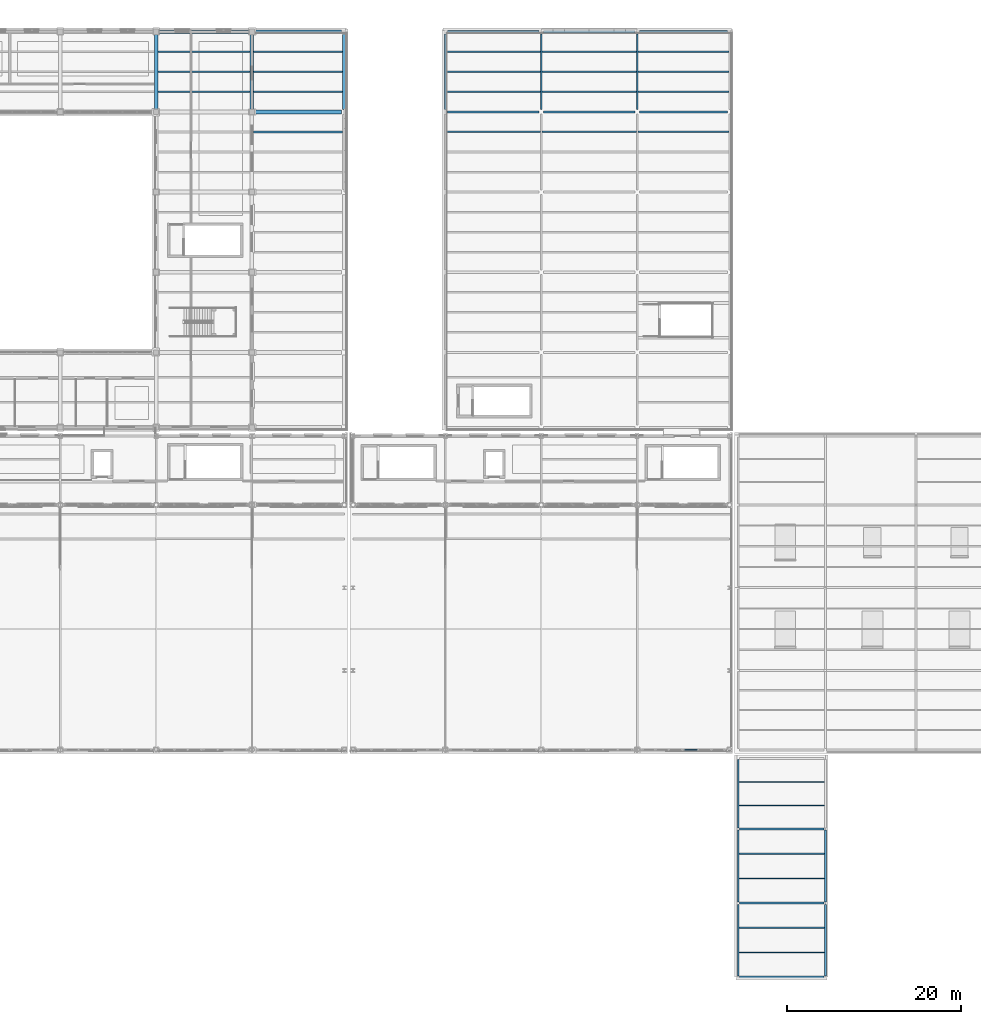
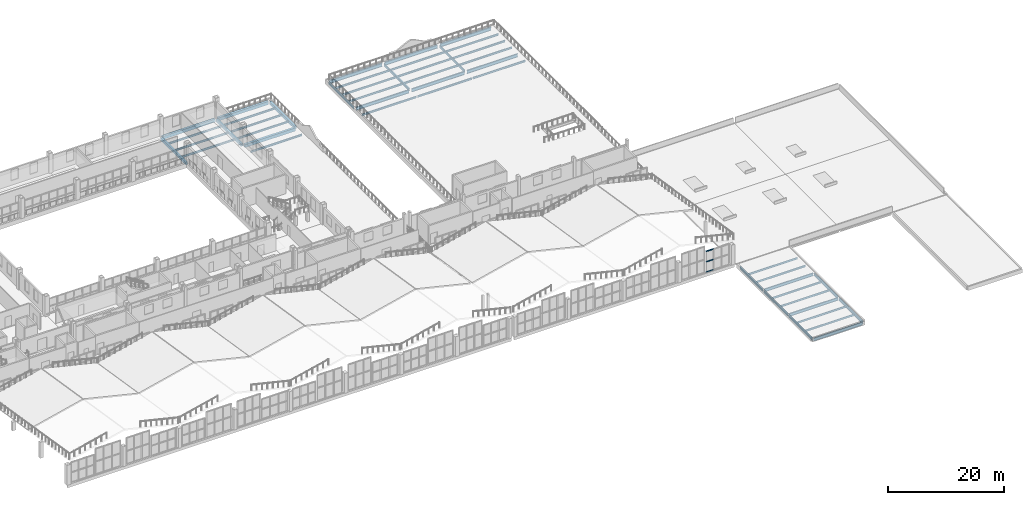
# One storey, part 72 of 120: 48 beams, 3 members, 1 element without a shape of its own.
"""IFC4 building model written with IfcOpenShell, lengths in metres."""

import ifcopenshell
import ifcopenshell.guid

model = None  # the IFC model being written
_history = None  # IfcOwnerHistory: only IFC2X3 demands one
_inside = {}  # id of a spatial element -> (the spatial element, [elements in it])
_under = {}  # id of a project, library or spatial element -> (it, [spatial elements below it])
_declared = {}  # id of a project -> (the project, [libraries it declares])
_typed = {}  # id of a type object -> (the type object, [elements of that type])
_made_of = {}  # id of a material, layer set ... -> (it, [elements and type objects made of it])


def new_model(schema):
    """Start an empty IFC model of exactly this schema.

    Asked for "IFC4X3", IfcOpenShell would pick the latest addendum, in which some entities
    have other attributes; the version numbers below select the first issue.
    IFC2X3 requires an IfcOwnerHistory on every rooted entity: one is made here for all.
    """
    global model, _history
    if schema == "IFC4X3":
        model = ifcopenshell.file(schema_version=(4, 3, 0, 0))
    else:
        model = ifcopenshell.file(schema=schema)
    _inside.clear()
    _under.clear()
    _declared.clear()
    _typed.clear()
    _made_of.clear()
    _history = None
    if model.schema == "IFC2X3":
        org = make("IfcOrganization", Name="unknown")
        user = make(
            "IfcPersonAndOrganization",
            ThePerson=make("IfcPerson", FamilyName="unknown"),
            TheOrganization=org,
        )
        app = make(
            "IfcApplication",
            ApplicationDeveloper=org,
            Version="unknown",
            ApplicationFullName="unknown",
            ApplicationIdentifier="unknown",
        )
        _history = make(
            "IfcOwnerHistory",
            OwningUser=user,
            OwningApplication=app,
            ChangeAction="ADDED",
            CreationDate=0,
        )
    return model


def make(cls, **values):
    """One entity of the class cls with the attributes given. An attribute that is None is left unset."""
    return model.create_entity(
        cls, **{name: value for name, value in values.items() if value is not None}
    )


def rooted(cls, **values):
    """An entity with a GlobalId (a new one), such as an element, a storey or a relation."""
    return make(cls, GlobalId=ifcopenshell.guid.new(), OwnerHistory=_history, **values)


def si_unit(unit_type, name, prefix=None):
    """IfcSIUnit, for example si_unit("LENGTHUNIT", "METRE", prefix="MILLI")."""
    return make("IfcSIUnit", UnitType=unit_type, Prefix=prefix, Name=name)


def assignment(units):
    """IfcUnitAssignment: the units of a project."""
    return None if units is None else make("IfcUnitAssignment", Units=units)


def point(xyz):
    """IfcCartesianPoint."""
    return None if xyz is None else make("IfcCartesianPoint", Coordinates=xyz)


def direction(xyz):
    """IfcDirection."""
    return None if xyz is None else make("IfcDirection", DirectionRatios=xyz)


def frame(location, z_axis=None, x_axis=None):
    """IfcAxis2Placement3D, a coordinate frame: its origin and axes. An axis left out is left unset."""
    return make(
        "IfcAxis2Placement3D",
        Location=point(location),
        Axis=direction(z_axis),
        RefDirection=direction(x_axis),
    )


def frame_2d(location, x_axis=None):
    """IfcAxis2Placement2D, a coordinate frame in the plane: its origin and x axis."""
    return make(
        "IfcAxis2Placement2D", Location=point(location), RefDirection=direction(x_axis)
    )


def origin():
    """The frame at (0, 0, 0) with its axes left unset."""
    return frame((0.0, 0.0, 0.0))


def origin_2d():
    """The frame at (0, 0) in the plane with its x axis left unset."""
    return frame_2d((0.0, 0.0))


def place(relative_to, where):
    """IfcLocalPlacement: puts the frame where relative to a parent placement (None: the world)."""
    return make(
        "IfcLocalPlacement", PlacementRelTo=relative_to, RelativePlacement=where
    )


def context(
    kind, dimensions, precision=None, world=None, true_north=None, identifier=None
):
    """IfcGeometricRepresentationContext, for example the 3D "Model" context."""
    return make(
        "IfcGeometricRepresentationContext",
        ContextIdentifier=identifier,
        ContextType=kind,
        CoordinateSpaceDimension=dimensions,
        Precision=precision,
        WorldCoordinateSystem=world,
        TrueNorth=true_north,
    )


def subcontext(parent, identifier, kind, view, scale=None):
    """IfcGeometricRepresentationSubContext, for example "Body" below "Model"."""
    return make(
        "IfcGeometricRepresentationSubContext",
        ContextIdentifier=identifier,
        ContextType=kind,
        ParentContext=parent,
        TargetScale=scale,
        TargetView=view,
    )


def project(units=None, contexts=None):
    """IfcProject with its units and contexts."""
    return rooted(
        "IfcProject",
        Name="project",
        RepresentationContexts=contexts,
        UnitsInContext=assignment(units),
    )


def spatial(cls, under=None, at=None, **own):
    """A site, building, storey or space (cls), placed at a placement, below another one or the project."""
    s = rooted(cls, ObjectPlacement=at, **own)
    if under is not None:
        _under.setdefault(under.id(), (under, []))[1].append(s)
    return s


def profile(cls, at=None, kind="AREA", **sizes):
    """A parametric profile (cls). Its sizes go by their IFC names, for example OverallWidth=200.0."""
    return make(cls, ProfileType=kind, Position=at, **sizes)


def rectangle(**sizes):
    """IfcRectangleProfileDef."""
    return profile("IfcRectangleProfileDef", **sizes)


def hollow_rectangle(**sizes):
    """IfcRectangleHollowProfileDef."""
    return profile("IfcRectangleHollowProfileDef", **sizes)


def i_section(**sizes):
    """IfcIShapeProfileDef."""
    return profile("IfcIShapeProfileDef", **sizes)


def extrude(swept, where, along, depth):
    """IfcExtrudedAreaSolid: the profile swept, set in the frame where, extruded along a direction by depth."""
    return make(
        "IfcExtrudedAreaSolid",
        SweptArea=swept,
        Position=where,
        ExtrudedDirection=direction(along),
        Depth=depth,
    )


def shape(context_of_items, identifier, shape_type, items):
    """IfcShapeRepresentation: the items that make up one representation, for example the "Body"."""
    return make(
        "IfcShapeRepresentation",
        ContextOfItems=context_of_items,
        RepresentationIdentifier=identifier,
        RepresentationType=shape_type,
        Items=items,
    )


def material(Name=None, Category=None):
    """IfcMaterial."""
    return make("IfcMaterial", Name=Name, Category=Category)


def material_profile(
    of_material, cross_section, Name=None, Category=None, Priority=None
):
    """IfcMaterialProfile: a cross section and its material."""
    return make(
        "IfcMaterialProfile",
        Name=Name,
        Material=of_material,
        Profile=cross_section,
        Priority=Priority,
        Category=Category,
    )


def profile_set(profiles, Name=None, composite=None):
    """IfcMaterialProfileSet."""
    return make(
        "IfcMaterialProfileSet",
        Name=Name,
        MaterialProfiles=profiles,
        CompositeProfile=composite,
    )


def made_of(thing, what):
    """Note that an element or type object is made of a material, layer set ...; save() writes the relation."""
    if what is not None:
        _made_of.setdefault(what.id(), (what, []))[1].append(thing)
    return thing


def type_object(cls, material=None, **own):
    """A type object (cls), such as IfcWallType, which elements share."""
    return made_of(rooted(cls, **own), material)


def element(
    cls,
    number,
    at=None,
    inside=None,
    cuts=None,
    type_object=None,
    material=None,
    context=None,
    identifier="Body",
    shape_type=None,
    held_by="IfcProductDefinitionShape",
    body=None,
    shapes=None,
    **own,
):
    """One element of the class cls, such as IfcWall. Its Tag is "e" and its number.

    at: its placement. inside: the storey or other place that contains it. cuts: it is an
    opening in that element (IfcRelVoidsElement). A single representation is given by context,
    identifier, shape_type and body (its items); several are given by shapes. held_by: the class
    of the entity that holds the representations. save() writes the other relations.
    """
    e = rooted(cls, Tag="e%d" % number, ObjectPlacement=at, **own)
    if body is not None:
        shapes = [shape(context, identifier, shape_type, body)]
    if shapes is not None:
        e.Representation = make(held_by, Representations=shapes)
    if inside is not None:
        _inside.setdefault(inside.id(), (inside, []))[1].append(e)
    if cuts is not None:
        rooted(
            "IfcRelVoidsElement", RelatingBuildingElement=cuts, RelatedOpeningElement=e
        )
    if type_object is not None:
        _typed.setdefault(type_object.id(), (type_object, []))[1].append(e)
    return made_of(e, material)


def aggregate(whole, parts):
    """IfcRelAggregates: a whole, such as a stair, and the parts it consists of."""
    return rooted("IfcRelAggregates", RelatingObject=whole, RelatedObjects=parts)


def save(model, path):
    """Write the relations noted so far, then the file.

    IfcRelAggregates (storeys below a building ...), IfcRelContainedInSpatialStructure (elements
    in a storey), IfcRelDefinesByType, IfcRelAssociatesMaterial and IfcRelDeclares: one each for
    every whole, place, type object, material and project.
    """
    for whole, parts in _under.values():
        aggregate(whole, parts)
    for where, things in _inside.values():
        rooted(
            "IfcRelContainedInSpatialStructure",
            RelatedElements=things,
            RelatingStructure=where,
        )
    for kind, things in _typed.values():
        rooted("IfcRelDefinesByType", RelatedObjects=things, RelatingType=kind)
    for what, things in _made_of.values():
        rooted("IfcRelAssociatesMaterial", RelatedObjects=things, RelatingMaterial=what)
    for by, libraries in _declared.values():
        rooted("IfcRelDeclares", RelatingContext=by, RelatedDefinitions=libraries)
    model.write(path)


model = new_model("IFC4")

# Units and contexts
model_context = context("Model", 3, precision=1e-05, world=origin(), true_north=direction((0.0, 1.0)))
body_context = subcontext(model_context, "Body", "Model", "MODEL_VIEW")
ifc_project = project(units=[si_unit("LENGTHUNIT", "METRE"), si_unit("AREAUNIT", "SQUARE_METRE"), si_unit("VOLUMEUNIT", "CUBIC_METRE"), si_unit("PLANEANGLEUNIT", "RADIAN"), si_unit("MASSUNIT", "GRAM", prefix="KILO")], contexts=[model_context])

# Site, building, storey
site_placement = place(None, origin())
site = spatial("IfcSite", under=ifc_project, at=site_placement, CompositionType="ELEMENT")
building_placement = place(site_placement, origin())
building = spatial("IfcBuilding", under=site, at=building_placement, Name="Caurita Quay Ferry Terminal", CompositionType="ELEMENT")
storey_placement = place(building_placement, frame((0.0, 0.0, 9.89990234375)))
storey = spatial("IfcBuildingStorey", under=building, at=storey_placement, Name="L02", CompositionType="ELEMENT", Elevation=9.89990234375)

# Beams
ifc_material_1 = material(Name="Structural steel ASTM A992 Gr. 50", Category="steel")
ifc_material_profile_1 = material_profile(ifc_material_1, i_section(OverallWidth=0.210693359375, OverallDepth=0.53857421875, WebThickness=0.01171875, FlangeThickness=0.018798828125, FilletRadius=0.013916015625, at=origin_2d()), Name="W21X73")
ifc_profile_set_1 = profile_set([ifc_material_profile_1], Name="Structural steel ASTM A992 Gr. 50")
beam_type_1 = type_object("IfcBeamType", Name="BM-GR-W21A", PredefinedType="BEAM", material=ifc_profile_set_1)
for number, where, z_axis, x_axis, name in (
    (1, (132.800048828125, 8.62939453125, -0.479248046875), (0.0, 1.0, 0.0), (-1.0, 0.0, 0.0), "L02 Beam BM-V3P-L02-Y-1328-86"),
    (2, (132.800048828125, 17.12939453125, -0.479248046875), (0.0, 1.0, 0.0), (-1.0, 0.0, 0.0), "L02 Beam BM-V3P-L02-Y-1328-171"),
):
    element("IfcBeam", number, at=place(storey_placement, frame(where, z_axis=z_axis, x_axis=x_axis)), inside=storey, type_object=beam_type_1, Name=name, PredefinedType="BEAM", context=body_context, shape_type="SweptSolid", body=[
        extrude(i_section(OverallWidth=0.210693359375, OverallDepth=0.53857421875, WebThickness=0.01171875, FlangeThickness=0.018798828125, FilletRadius=0.013916015625, at=origin_2d()), origin(), (0.0, 0.0, 1.0), 8.2412109375),
    ])
beam_1_placement = place(storey_placement, frame((132.800048828125, 25.62939453125, -0.479248046875), z_axis=(0.0, 1.0, 0.0), x_axis=(-1.0, 0.0, 0.0)))
element("IfcBeam", 3, at=beam_1_placement, inside=storey, type_object=beam_type_1, Name="L02 Beam BM-V3P-L02-Y-1328-256", PredefinedType="BEAM", context=body_context, shape_type="SweptSolid", body=[
    extrude(i_section(OverallWidth=0.210693359375, OverallDepth=0.53857421875, WebThickness=0.01171875, FlangeThickness=0.018798828125, FilletRadius=0.013916015625, at=origin_2d()), origin(), (0.0, 0.0, 1.0), 7.841064453125),
])
for number, where, z_axis, x_axis, name in (
    (4, (142.800048828125, 8.62939453125, -0.479248046875), (0.0, 1.0, 0.0), (-1.0, 0.0, 0.0), "L02 Beam BM-V3P-L02-Y-1428-86"),
    (5, (142.800048828125, 17.12939453125, -0.479248046875), (0.0, 1.0, 0.0), (-1.0, 0.0, 0.0), "L02 Beam BM-V3P-L02-Y-1428-171"),
):
    element("IfcBeam", number, at=place(storey_placement, frame(where, z_axis=z_axis, x_axis=x_axis)), inside=storey, type_object=beam_type_1, Name=name, PredefinedType="BEAM", context=body_context, shape_type="SweptSolid", body=[
        extrude(i_section(OverallWidth=0.210693359375, OverallDepth=0.53857421875, WebThickness=0.01171875, FlangeThickness=0.018798828125, FilletRadius=0.013916015625, at=origin_2d()), origin(), (0.0, 0.0, 1.0), 8.2412109375),
    ])
ifc_material_profile_2 = material_profile(ifc_material_1, i_section(OverallWidth=0.22802734375, OverallDepth=0.60205078125, WebThickness=0.010498046875, FlangeThickness=0.014892578125, at=origin_2d()), Name="W24X68")
ifc_profile_set_2 = profile_set([ifc_material_profile_2], Name="Structural steel ASTM A992 Gr. 50")
beam_type_2 = type_object("IfcBeamType", Name="BM-GR-W24C", PredefinedType="BEAM", material=ifc_profile_set_2)
for number, where, z_axis, x_axis, name in (
    (6, (132.929443359375, 8.5, -0.510986328125), (1.0, 0.0, 0.0), (0.0, 1.0, 0.0), "L02 Beam BM-V3P-L02-X-1329-85"),
    (7, (132.929443359375, 17.0, -0.510986328125), (1.0, 0.0, 0.0), (0.0, 1.0, 0.0), "L02 Beam BM-V3P-L02-X-1329-170"),
    (8, (132.929443359375, 25.5, -0.510986328125), (1.0, 0.0, 0.0), (0.0, 1.0, 0.0), "L02 Beam BM-V3P-L02-X-1329-255"),
):
    element("IfcBeam", number, at=place(storey_placement, frame(where, z_axis=z_axis, x_axis=x_axis)), inside=storey, type_object=beam_type_2, Name=name, PredefinedType="BEAM", context=body_context, shape_type="SweptSolid", body=[
        extrude(i_section(OverallWidth=0.22802734375, OverallDepth=0.60205078125, WebThickness=0.010498046875, FlangeThickness=0.014892578125, at=origin_2d()), origin(), (0.0, 0.0, 1.0), 9.740966796875),
    ])
ifc_material_profile_3 = material_profile(ifc_material_1, i_section(OverallWidth=0.25390625, OverallDepth=0.68310546875, WebThickness=0.012451171875, FlangeThickness=0.018798828125, at=origin_2d()), Name="W27X94")
ifc_profile_set_3 = profile_set([ifc_material_profile_3], Name="Structural steel ASTM A992 Gr. 50")
beam_type_3 = type_object("IfcBeamType", Name="BM-GR-W27B", PredefinedType="BEAM", material=ifc_profile_set_3)
for number, where, z_axis, x_axis, name in (
    (9, (99.455078125, 107.800048828125, -0.551513671875), (1.0, 0.0, 0.0), (0.0, 1.0, 0.0), "L02 Beam BM-V4W-L02-X-995-1078"),
    (10, (110.455078125, 107.800048828125, -0.551513671875), (1.0, 0.0, 0.0), (0.0, 1.0, 0.0), "L02 Beam BM-V4W-L02-X-1105-1078"),
):
    element("IfcBeam", number, at=place(storey_placement, frame(where, z_axis=z_axis, x_axis=x_axis)), inside=storey, type_object=beam_type_3, Name=name, PredefinedType="BEAM", context=body_context, shape_type="SweptSolid", body=[
        extrude(i_section(OverallWidth=0.25390625, OverallDepth=0.68310546875, WebThickness=0.012451171875, FlangeThickness=0.018798828125, at=origin_2d()), origin(), (0.0, 0.0, 1.0), 10.489990234375),
    ])
beam_2_placement = place(storey_placement, frame((121.455078125, 107.800048828125, -0.551513671875), z_axis=(1.0, 0.0, 0.0), x_axis=(0.0, 1.0, 0.0)))
element("IfcBeam", 11, at=beam_2_placement, inside=storey, type_object=beam_type_3, Name="L02 Beam BM-V4W-L02-X-1215-1078", PredefinedType="BEAM", context=body_context, shape_type="SweptSolid", body=[
    extrude(i_section(OverallWidth=0.25390625, OverallDepth=0.68310546875, WebThickness=0.012451171875, FlangeThickness=0.018798828125, at=origin_2d()), origin(), (0.0, 0.0, 1.0), 10.08984375),
])
for number, where, z_axis, x_axis, name in (
    (12, (99.455078125, 117.0, -0.551513671875), (1.0, 0.0, 0.0), (0.0, 1.0, 0.0), "L02 Beam BM-V4W-L02-X-995-1170"),
    (13, (110.455078125, 117.0, -0.551513671875), (1.0, 0.0, 0.0), (0.0, 1.0, 0.0), "L02 Beam BM-V4W-L02-X-1105-1170"),
):
    element("IfcBeam", number, at=place(storey_placement, frame(where, z_axis=z_axis, x_axis=x_axis)), inside=storey, type_object=beam_type_3, Name=name, PredefinedType="BEAM", context=body_context, shape_type="SweptSolid", body=[
        extrude(i_section(OverallWidth=0.25390625, OverallDepth=0.68310546875, WebThickness=0.012451171875, FlangeThickness=0.018798828125, at=origin_2d()), origin(), (0.0, 0.0, 1.0), 10.489990234375),
    ])
beam_3_placement = place(storey_placement, frame((121.455078125, 117.0, -0.551513671875), z_axis=(1.0, 0.0, 0.0), x_axis=(0.0, 1.0, 0.0)))
element("IfcBeam", 14, at=beam_3_placement, inside=storey, type_object=beam_type_3, Name="L02 Beam BM-V4W-L02-X-1215-1170", PredefinedType="BEAM", context=body_context, shape_type="SweptSolid", body=[
    extrude(i_section(OverallWidth=0.25390625, OverallDepth=0.68310546875, WebThickness=0.012451171875, FlangeThickness=0.018798828125, at=origin_2d()), origin(), (0.0, 0.0, 1.0), 10.08984375),
])
ifc_material_profile_4 = material_profile(ifc_material_1, i_section(OverallWidth=0.1787109375, OverallDepth=0.408935546875, WebThickness=0.0087890625, FlangeThickness=0.014404296875, FilletRadius=0.011474609375, at=origin_2d()), Name="W16X45")
ifc_profile_set_4 = profile_set([ifc_material_profile_4], Name="Structural steel ASTM A992 Gr. 50")
beam_type_4 = type_object("IfcBeamType", Name="BM-JS-W16A", PredefinedType="JOIST", material=ifc_profile_set_4)
for number, where, z_axis, x_axis, name in (
    (15, (66.199951171875, 110.10009765625, -0.42431640625), (1.0, 0.0, 0.0), (0.0, 1.0, 0.0), "L02 Beam JS-V5-L02-049"),
    (16, (66.199951171875, 112.39990234375, -0.42431640625), (1.0, 0.0, 0.0), (0.0, 1.0, 0.0), "L02 Beam JS-V5-L02-050"),
    (17, (66.199951171875, 114.699951171875, -0.42431640625), (1.0, 0.0, 0.0), (0.0, 1.0, 0.0), "L02 Beam JS-V5-L02-051"),
):
    element("IfcBeam", number, at=place(storey_placement, frame(where, z_axis=z_axis, x_axis=x_axis)), inside=storey, type_object=beam_type_4, Name=name, PredefinedType="JOIST", context=body_context, shape_type="SweptSolid", body=[
        extrude(i_section(OverallWidth=0.1787109375, OverallDepth=0.408935546875, WebThickness=0.0087890625, FlangeThickness=0.014404296875, FilletRadius=0.011474609375, at=origin_2d()), origin(), (0.0, 0.0, 1.0), 10.60009765625),
    ])
for number, where, z_axis, x_axis, name in (
    (18, (77.199951171875, 105.5, -0.414306640625), (1.0, 0.0, 0.0), (0.0, 1.0, 0.0), "L02 Beam JS-V5-L02-062"),
    (19, (77.199951171875, 110.10009765625, -0.414306640625), (1.0, 0.0, 0.0), (0.0, 1.0, 0.0), "L02 Beam JS-V5-L02-063"),
    (20, (77.199951171875, 112.39990234375, -0.414306640625), (1.0, 0.0, 0.0), (0.0, 1.0, 0.0), "L02 Beam JS-V5-L02-064"),
    (21, (77.199951171875, 114.699951171875, -0.414306640625), (1.0, 0.0, 0.0), (0.0, 1.0, 0.0), "L02 Beam JS-V5-L02-065"),
):
    element("IfcBeam", number, at=place(storey_placement, frame(where, z_axis=z_axis, x_axis=x_axis)), inside=storey, type_object=beam_type_4, Name=name, PredefinedType="JOIST", context=body_context, shape_type="SweptSolid", body=[
        extrude(i_section(OverallWidth=0.1787109375, OverallDepth=0.408935546875, WebThickness=0.0087890625, FlangeThickness=0.014404296875, FilletRadius=0.011474609375, at=origin_2d()), origin(), (0.0, 0.0, 1.0), 10.199951171875),
    ])
ifc_material_profile_5 = material_profile(ifc_material_1, i_section(OverallWidth=0.177734375, OverallDepth=0.40380859375, WebThickness=0.007568359375, FlangeThickness=0.010986328125, FilletRadius=0.011474609375, at=origin_2d()), Name="W16X36")
ifc_profile_set_5 = profile_set([ifc_material_profile_5], Name="Structural steel ASTM A992 Gr. 50")
beam_type_5 = type_object("IfcBeamType", Name="BM-JS-W16B", PredefinedType="JOIST", material=ifc_profile_set_5)
for number, where, z_axis, x_axis, name in (
    (22, (99.283203125, 105.5, -0.411865234375), (1.0, 0.0, 0.0), (0.0, 1.0, 0.0), "L02 Beam JS-V4W-L02-010"),
    (23, (99.283203125, 110.10009765625, -0.411865234375), (1.0, 0.0, 0.0), (0.0, 1.0, 0.0), "L02 Beam JS-V4W-L02-011"),
    (24, (99.283203125, 112.39990234375, -0.411865234375), (1.0, 0.0, 0.0), (0.0, 1.0, 0.0), "L02 Beam JS-V4W-L02-012"),
    (25, (99.283203125, 114.699951171875, -0.411865234375), (1.0, 0.0, 0.0), (0.0, 1.0, 0.0), "L02 Beam JS-V4W-L02-013"),
    (26, (110.283203125, 105.5, -0.411865234375), (1.0, 0.0, 0.0), (0.0, 1.0, 0.0), "L02 Beam JS-V4W-L02-023"),
    (27, (110.283203125, 110.10009765625, -0.411865234375), (1.0, 0.0, 0.0), (0.0, 1.0, 0.0), "L02 Beam JS-V4W-L02-024"),
    (28, (110.283203125, 112.39990234375, -0.411865234375), (1.0, 0.0, 0.0), (0.0, 1.0, 0.0), "L02 Beam JS-V4W-L02-025"),
    (29, (110.283203125, 114.699951171875, -0.411865234375), (1.0, 0.0, 0.0), (0.0, 1.0, 0.0), "L02 Beam JS-V4W-L02-026"),
):
    element("IfcBeam", number, at=place(storey_placement, frame(where, z_axis=z_axis, x_axis=x_axis)), inside=storey, type_object=beam_type_5, Name=name, PredefinedType="JOIST", context=body_context, shape_type="SweptSolid", body=[
        extrude(i_section(OverallWidth=0.177734375, OverallDepth=0.40380859375, WebThickness=0.007568359375, FlangeThickness=0.010986328125, FilletRadius=0.011474609375, at=origin_2d()), origin(), (0.0, 0.0, 1.0), 10.83349609375),
    ])
for number, where, z_axis, x_axis, name in (
    (30, (121.283203125, 105.5, -0.411865234375), (1.0, 0.0, 0.0), (0.0, 1.0, 0.0), "L02 Beam JS-V4W-L02-035"),
    (31, (121.283203125, 110.10009765625, -0.411865234375), (1.0, 0.0, 0.0), (0.0, 1.0, 0.0), "L02 Beam JS-V4W-L02-036"),
    (32, (121.283203125, 112.39990234375, -0.411865234375), (1.0, 0.0, 0.0), (0.0, 1.0, 0.0), "L02 Beam JS-V4W-L02-037"),
    (33, (121.283203125, 114.699951171875, -0.411865234375), (1.0, 0.0, 0.0), (0.0, 1.0, 0.0), "L02 Beam JS-V4W-L02-038"),
):
    element("IfcBeam", number, at=place(storey_placement, frame(where, z_axis=z_axis, x_axis=x_axis)), inside=storey, type_object=beam_type_5, Name=name, PredefinedType="JOIST", context=body_context, shape_type="SweptSolid", body=[
        extrude(i_section(OverallWidth=0.177734375, OverallDepth=0.40380859375, WebThickness=0.007568359375, FlangeThickness=0.010986328125, FilletRadius=0.011474609375, at=origin_2d()), origin(), (0.0, 0.0, 1.0), 10.43359375),
    ])
ifc_material_profile_6 = material_profile(ifc_material_1, i_section(OverallWidth=0.139892578125, OverallDepth=0.39892578125, WebThickness=0.00634765625, FlangeThickness=0.0087890625, at=origin_2d()), Name="W16X26")
ifc_profile_set_6 = profile_set([ifc_material_profile_6], Name="Structural steel ASTM A992 Gr. 50")
beam_type_6 = type_object("IfcBeamType", Name="BM-JS-W16C", PredefinedType="JOIST", material=ifc_profile_set_6)
for number, where, z_axis, x_axis, name in (
    (34, (132.905517578125, 11.333251953125, -0.409423828125), (1.0, 0.0, 0.0), (0.0, 1.0, 0.0), "L02 Beam JS-V3P-L02-001"),
    (35, (132.905517578125, 14.166748046875, -0.409423828125), (1.0, 0.0, 0.0), (0.0, 1.0, 0.0), "L02 Beam JS-V3P-L02-002"),
    (36, (132.905517578125, 19.833251953125, -0.409423828125), (1.0, 0.0, 0.0), (0.0, 1.0, 0.0), "L02 Beam JS-V3P-L02-003"),
    (37, (132.905517578125, 22.666748046875, -0.409423828125), (1.0, 0.0, 0.0), (0.0, 1.0, 0.0), "L02 Beam JS-V3P-L02-004"),
    (38, (132.905517578125, 28.199951171875, -0.409423828125), (1.0, 0.0, 0.0), (0.0, 1.0, 0.0), "L02 Beam JS-V3P-L02-005"),
    (39, (132.905517578125, 30.89990234375, -0.409423828125), (1.0, 0.0, 0.0), (0.0, 1.0, 0.0), "L02 Beam JS-V3P-L02-006"),
):
    element("IfcBeam", number, at=place(storey_placement, frame(where, z_axis=z_axis, x_axis=x_axis)), inside=storey, type_object=beam_type_6, Name=name, PredefinedType="JOIST", context=body_context, shape_type="SweptSolid", body=[
        extrude(i_section(OverallWidth=0.139892578125, OverallDepth=0.39892578125, WebThickness=0.00634765625, FlangeThickness=0.0087890625, at=origin_2d()), origin(), (0.0, 0.0, 1.0), 9.7890625),
    ])
ifc_material_2 = material(Name="Reinforced concrete C35/45", Category="concrete")
ifc_material_profile_7 = material_profile(ifc_material_2, rectangle(XDim=0.39990234375, YDim=0.550048828125, at=origin_2d()), Name="RC-BM-400X550")
ifc_profile_set_7 = profile_set([ifc_material_profile_7], Name="Reinforced concrete C35/45")
beam_type_7 = type_object("IfcBeamType", Name="BM-RC-4055", PredefinedType="BEAM", material=ifc_profile_set_7)
for number, where, z_axis, x_axis, name in (
    (40, (66.0, 108.097412109375, -0.494873046875), (0.0, 1.0, 0.0), (-1.0, 0.0, 0.0), "L02 Beam BM-V5-L02-Y-660-1081"),
    (41, (77.0, 108.097412109375, -0.494873046875), (0.0, 1.0, 0.0), (-1.0, 0.0, 0.0), "L02 Beam BM-V5-L02-Y-770-1081"),
    (42, (87.60009765625, 108.097412109375, -0.48486328125), (0.0, 1.0, 0.0), (-1.0, 0.0, 0.0), "L02 Beam BM-V5-L02-Y-876-1081"),
):
    element("IfcBeam", number, at=place(storey_placement, frame(where, z_axis=z_axis, x_axis=x_axis)), inside=storey, type_object=beam_type_7, Name=name, PredefinedType="BEAM", context=body_context, shape_type="SweptSolid", body=[
        extrude(rectangle(XDim=0.39990234375, YDim=0.550048828125, at=origin_2d()), origin(), (0.0, 0.0, 1.0), 8.60498046875),
    ])
ifc_material_profile_8 = material_profile(ifc_material_2, rectangle(XDim=0.449951171875, YDim=0.64990234375, at=origin_2d()), Name="RC-BM-450X650")
ifc_profile_set_8 = profile_set([ifc_material_profile_8], Name="Reinforced concrete C35/45")
beam_type_8 = type_object("IfcBeamType", Name="BM-RC-4565", PredefinedType="BEAM", material=ifc_profile_set_8)
beam_4_placement = place(storey_placement, frame((77.297607421875, 107.800048828125, -0.534912109375), z_axis=(1.0, 0.0, 0.0), x_axis=(0.0, 1.0, 0.0)))
element("IfcBeam", 43, at=beam_4_placement, inside=storey, type_object=beam_type_8, Name="L02 Beam BM-V5-L02-X-773-1078", PredefinedType="BEAM", context=body_context, shape_type="SweptSolid", body=[
    extrude(rectangle(XDim=0.449951171875, YDim=0.64990234375, at=origin_2d()), origin(), (0.0, 0.0, 1.0), 10.0048828125),
])
beam_5_placement = place(storey_placement, frame((66.297607421875, 117.0, -0.544921875), z_axis=(1.0, 0.0, 0.0), x_axis=(0.0, 1.0, 0.0)))
element("IfcBeam", 44, at=beam_5_placement, inside=storey, type_object=beam_type_8, Name="L02 Beam BM-V5-L02-X-663-1170", PredefinedType="BEAM", context=body_context, shape_type="SweptSolid", body=[
    extrude(rectangle(XDim=0.449951171875, YDim=0.64990234375, at=origin_2d()), origin(), (0.0, 0.0, 1.0), 10.40478515625),
])
beam_6_placement = place(storey_placement, frame((77.297607421875, 117.0, -0.534912109375), z_axis=(1.0, 0.0, 0.0), x_axis=(0.0, 1.0, 0.0)))
element("IfcBeam", 45, at=beam_6_placement, inside=storey, type_object=beam_type_8, Name="L02 Beam BM-V5-L02-X-773-1170", PredefinedType="BEAM", context=body_context, shape_type="SweptSolid", body=[
    extrude(rectangle(XDim=0.449951171875, YDim=0.64990234375, at=origin_2d()), origin(), (0.0, 0.0, 1.0), 10.0048828125),
])
ifc_material_profile_9 = material_profile(ifc_material_1, i_section(OverallWidth=0.16650390625, OverallDepth=0.535888671875, WebThickness=0.01025390625, FlangeThickness=0.0166015625, FilletRadius=0.013916015625, at=origin_2d()), Name="W21X57")
ifc_profile_set_9 = profile_set([ifc_material_profile_9], Name="Structural steel ASTM A992 Gr. 50")
beam_type_9 = type_object("IfcBeamType", Name="BM-SP-W21B", PredefinedType="SPANDREL", material=ifc_profile_set_9)
for number, where, z_axis, x_axis, name in (
    (46, (99.199951171875, 108.054931640625, -0.477783203125), (0.0, 1.0, 0.0), (-1.0, 0.0, 0.0), "L02 Beam BM-V4W-L02-Y-992-1081"),
    (47, (110.199951171875, 108.054931640625, -0.477783203125), (0.0, 1.0, 0.0), (-1.0, 0.0, 0.0), "L02 Beam BM-V4W-L02-Y-1102-1081"),
    (48, (121.199951171875, 108.054931640625, -0.477783203125), (0.0, 1.0, 0.0), (-1.0, 0.0, 0.0), "L02 Beam BM-V4W-L02-Y-1212-1081"),
):
    element("IfcBeam", number, at=place(storey_placement, frame(where, z_axis=z_axis, x_axis=x_axis)), inside=storey, type_object=beam_type_9, Name=name, PredefinedType="SPANDREL", context=body_context, shape_type="SweptSolid", body=[
        extrude(i_section(OverallWidth=0.16650390625, OverallDepth=0.535888671875, WebThickness=0.01025390625, FlangeThickness=0.0166015625, FilletRadius=0.013916015625, at=origin_2d()), origin(), (0.0, 0.0, 1.0), 8.690185546875),
    ])

# Curtain wall, members
ifc_material_3 = material(Name="Laminated solar-control insulated glass", Category="glass")
curtain_wall_type = type_object("IfcCurtainWallType", Name="CW-SYS-07", PredefinedType="NOTDEFINED", material=ifc_material_3)
curtain_wall_placement = place(storey_placement, origin())
curtain_wall = element("IfcCurtainWall", 49, at=curtain_wall_placement, inside=storey, type_object=curtain_wall_type, Name="Folded Roof Clerestory FB-06-S4", PredefinedType="NOTDEFINED")
ifc_material_4 = material(Name="Anodized aluminium 6063-T6", Category="aluminium")
ifc_material_profile_10 = material_profile(ifc_material_4, hollow_rectangle(XDim=0.074951171875, YDim=0.159912109375, WallThickness=0.00390625, at=origin_2d()), Name="ALU-TRN-75X160")
ifc_profile_set_10 = profile_set([ifc_material_profile_10], Name="Anodized aluminium 6063-T6")
member_type = type_object("IfcMemberType", Name="CW-TRN-160", PredefinedType="USERDEFINED", material=ifc_profile_set_10)
member_1_placement = place(storey_placement, frame((126.673095703125, 34.60009765625, 0.03759765625), z_axis=(1.0, 0.0, 0.0), x_axis=(0.0, 1.0, 0.0)))
member_1 = element("IfcMember", 50, at=member_1_placement, type_object=member_type, Name="CW-CLR-044 Transom 1", ObjectType="TRANSOM", PredefinedType="USERDEFINED", context=body_context, shape_type="SweptSolid", body=[
    extrude(hollow_rectangle(XDim=0.074951171875, YDim=0.159912109375, WallThickness=0.00390625, at=origin_2d()), origin(), (0.0, 0.0, 1.0), 1.44140625),
])
member_2_placement = place(storey_placement, frame((126.673095703125, 34.60009765625, 2.20458984375), z_axis=(1.0, 0.0, 0.0), x_axis=(0.0, 1.0, 0.0)))
member_2 = element("IfcMember", 51, at=member_2_placement, type_object=member_type, Name="CW-CLR-044 Transom 2", ObjectType="TRANSOM", PredefinedType="USERDEFINED", context=body_context, shape_type="SweptSolid", body=[
    extrude(hollow_rectangle(XDim=0.074951171875, YDim=0.159912109375, WallThickness=0.00390625, at=origin_2d()), origin(), (0.0, 0.0, 1.0), 1.44140625),
])
member_3_placement = place(storey_placement, frame((126.673095703125, 34.60009765625, 4.37158203125), z_axis=(1.0, 0.0, 0.0), x_axis=(0.0, 1.0, 0.0)))
member_3 = element("IfcMember", 52, at=member_3_placement, type_object=member_type, Name="CW-CLR-044 Transom 3", ObjectType="TRANSOM", PredefinedType="USERDEFINED", context=body_context, shape_type="SweptSolid", body=[
    extrude(hollow_rectangle(XDim=0.074951171875, YDim=0.159912109375, WallThickness=0.00390625, at=origin_2d()), origin(), (0.0, 0.0, 1.0), 1.44140625),
])
aggregate(curtain_wall, [member_1, member_2, member_3])

save(model, "model.ifc")
